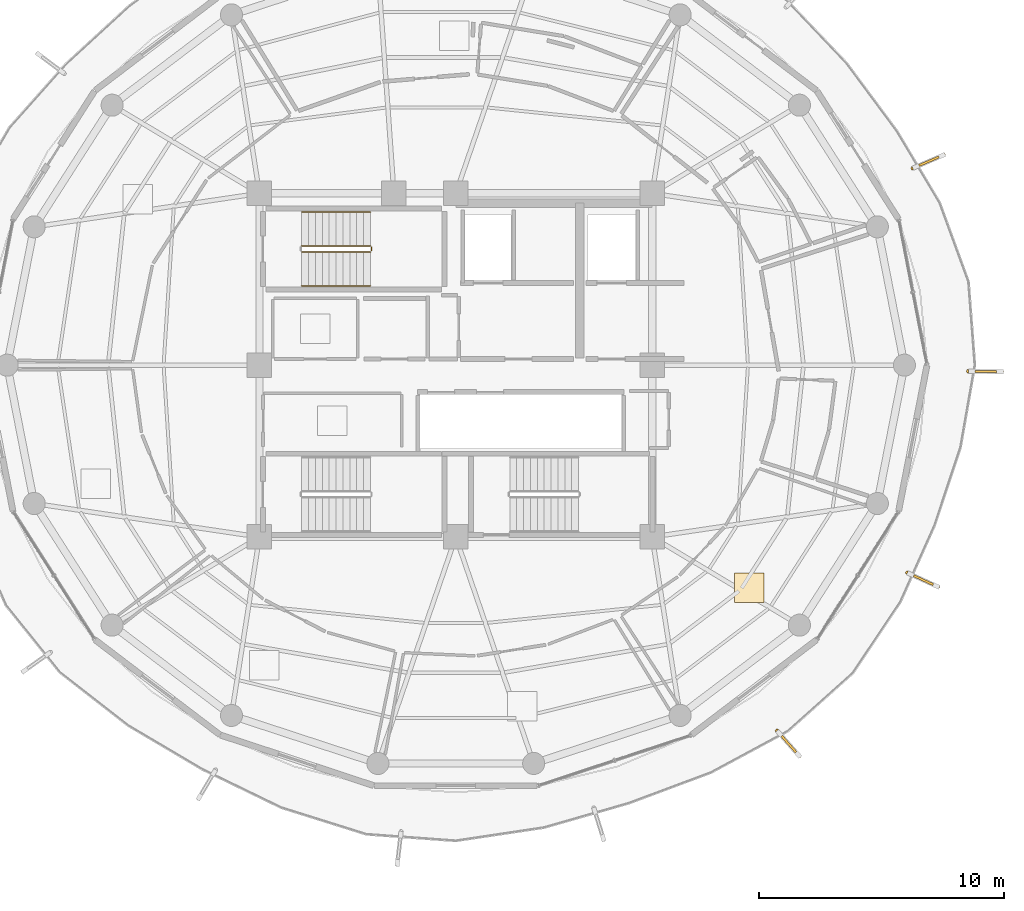
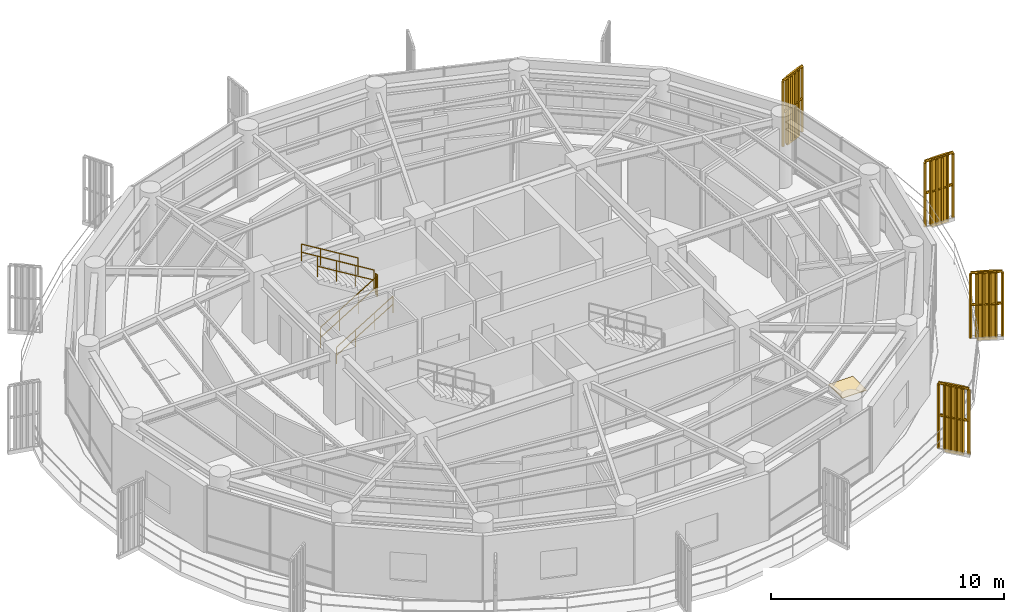
# One storey, part 21 of 22: 9 railings, 4 shading devices, 1 covering.
"""IFC4 building model written with IfcOpenShell, lengths in metres."""

import ifcopenshell
import ifcopenshell.guid

model = None  # the IFC model being written
_history = None  # IfcOwnerHistory: only IFC2X3 demands one
_inside = {}  # id of a spatial element -> (the spatial element, [elements in it])
_under = {}  # id of a project, library or spatial element -> (it, [spatial elements below it])
_declared = {}  # id of a project -> (the project, [libraries it declares])
_typed = {}  # id of a type object -> (the type object, [elements of that type])
_made_of = {}  # id of a material, layer set ... -> (it, [elements and type objects made of it])


def new_model(schema):
    """Start an empty IFC model of exactly this schema.

    Asked for "IFC4X3", IfcOpenShell would pick the latest addendum, in which some entities
    have other attributes; the version numbers below select the first issue.
    IFC2X3 requires an IfcOwnerHistory on every rooted entity: one is made here for all.
    """
    global model, _history
    if schema == "IFC4X3":
        model = ifcopenshell.file(schema_version=(4, 3, 0, 0))
    else:
        model = ifcopenshell.file(schema=schema)
    _inside.clear()
    _under.clear()
    _declared.clear()
    _typed.clear()
    _made_of.clear()
    _history = None
    if model.schema == "IFC2X3":
        org = make("IfcOrganization", Name="unknown")
        user = make(
            "IfcPersonAndOrganization",
            ThePerson=make("IfcPerson", FamilyName="unknown"),
            TheOrganization=org,
        )
        app = make(
            "IfcApplication",
            ApplicationDeveloper=org,
            Version="unknown",
            ApplicationFullName="unknown",
            ApplicationIdentifier="unknown",
        )
        _history = make(
            "IfcOwnerHistory",
            OwningUser=user,
            OwningApplication=app,
            ChangeAction="ADDED",
            CreationDate=0,
        )
    return model


def make(cls, **values):
    """One entity of the class cls with the attributes given. An attribute that is None is left unset."""
    return model.create_entity(
        cls, **{name: value for name, value in values.items() if value is not None}
    )


def rooted(cls, **values):
    """An entity with a GlobalId (a new one), such as an element, a storey or a relation."""
    return make(cls, GlobalId=ifcopenshell.guid.new(), OwnerHistory=_history, **values)


def si_unit(unit_type, name, prefix=None):
    """IfcSIUnit, for example si_unit("LENGTHUNIT", "METRE", prefix="MILLI")."""
    return make("IfcSIUnit", UnitType=unit_type, Prefix=prefix, Name=name)


def assignment(units):
    """IfcUnitAssignment: the units of a project."""
    return None if units is None else make("IfcUnitAssignment", Units=units)


def point(xyz):
    """IfcCartesianPoint."""
    return None if xyz is None else make("IfcCartesianPoint", Coordinates=xyz)


def direction(xyz):
    """IfcDirection."""
    return None if xyz is None else make("IfcDirection", DirectionRatios=xyz)


def frame(location, z_axis=None, x_axis=None):
    """IfcAxis2Placement3D, a coordinate frame: its origin and axes. An axis left out is left unset."""
    return make(
        "IfcAxis2Placement3D",
        Location=point(location),
        Axis=direction(z_axis),
        RefDirection=direction(x_axis),
    )


def frame_2d(location, x_axis=None):
    """IfcAxis2Placement2D, a coordinate frame in the plane: its origin and x axis."""
    return make(
        "IfcAxis2Placement2D", Location=point(location), RefDirection=direction(x_axis)
    )


def origin():
    """The frame at (0, 0, 0) with its axes left unset."""
    return frame((0.0, 0.0, 0.0))


def origin_2d():
    """The frame at (0, 0) in the plane with its x axis left unset."""
    return frame_2d((0.0, 0.0))


def place(relative_to, where):
    """IfcLocalPlacement: puts the frame where relative to a parent placement (None: the world)."""
    return make(
        "IfcLocalPlacement", PlacementRelTo=relative_to, RelativePlacement=where
    )


def context(
    kind, dimensions, precision=None, world=None, true_north=None, identifier=None
):
    """IfcGeometricRepresentationContext, for example the 3D "Model" context."""
    return make(
        "IfcGeometricRepresentationContext",
        ContextIdentifier=identifier,
        ContextType=kind,
        CoordinateSpaceDimension=dimensions,
        Precision=precision,
        WorldCoordinateSystem=world,
        TrueNorth=true_north,
    )


def subcontext(parent, identifier, kind, view, scale=None):
    """IfcGeometricRepresentationSubContext, for example "Body" below "Model"."""
    return make(
        "IfcGeometricRepresentationSubContext",
        ContextIdentifier=identifier,
        ContextType=kind,
        ParentContext=parent,
        TargetScale=scale,
        TargetView=view,
    )


def project(units=None, contexts=None):
    """IfcProject with its units and contexts."""
    return rooted(
        "IfcProject",
        Name="project",
        RepresentationContexts=contexts,
        UnitsInContext=assignment(units),
    )


def spatial(cls, under=None, at=None, **own):
    """A site, building, storey or space (cls), placed at a placement, below another one or the project."""
    s = rooted(cls, ObjectPlacement=at, **own)
    if under is not None:
        _under.setdefault(under.id(), (under, []))[1].append(s)
    return s


def polyline(points):
    """IfcPolyline through the points."""
    return make("IfcPolyline", Points=[point(p) for p in points])


def profile(cls, at=None, kind="AREA", **sizes):
    """A parametric profile (cls). Its sizes go by their IFC names, for example OverallWidth=200.0."""
    return make(cls, ProfileType=kind, Position=at, **sizes)


def rectangle(**sizes):
    """IfcRectangleProfileDef."""
    return profile("IfcRectangleProfileDef", **sizes)


def outline(outer, holes=None, kind="AREA"):
    """IfcArbitraryClosedProfileDef: a profile drawn as a closed curve; with holes, ...WithVoids."""
    if holes is None:
        return make("IfcArbitraryClosedProfileDef", ProfileType=kind, OuterCurve=outer)
    return make(
        "IfcArbitraryProfileDefWithVoids",
        ProfileType=kind,
        OuterCurve=outer,
        InnerCurves=holes,
    )


def extrude(swept, where, along, depth):
    """IfcExtrudedAreaSolid: the profile swept, set in the frame where, extruded along a direction by depth."""
    return make(
        "IfcExtrudedAreaSolid",
        SweptArea=swept,
        Position=where,
        ExtrudedDirection=direction(along),
        Depth=depth,
    )


def shape(context_of_items, identifier, shape_type, items):
    """IfcShapeRepresentation: the items that make up one representation, for example the "Body"."""
    return make(
        "IfcShapeRepresentation",
        ContextOfItems=context_of_items,
        RepresentationIdentifier=identifier,
        RepresentationType=shape_type,
        Items=items,
    )


def source(mapping_origin, context_of_items, identifier, shape_type, items):
    """IfcRepresentationMap: a shape defined once, which mapped items show again and again."""
    return make(
        "IfcRepresentationMap",
        MappingOrigin=mapping_origin,
        MappedRepresentation=shape(context_of_items, identifier, shape_type, items),
    )


def transform(
    local_origin,
    x_axis=None,
    y_axis=None,
    z_axis=None,
    scale=None,
    scale2=None,
    scale3=None,
    uniform=True,
):
    """IfcCartesianTransformationOperator3D, or its non-uniform kind. x_axis, y_axis, z_axis: its Axis1, 2, 3."""
    if uniform:
        return make(
            "IfcCartesianTransformationOperator3D",
            Axis1=direction(x_axis),
            Axis2=direction(y_axis),
            LocalOrigin=point(local_origin),
            Scale=scale,
            Axis3=direction(z_axis),
        )
    return make(
        "IfcCartesianTransformationOperator3DnonUniform",
        Axis1=direction(x_axis),
        Axis2=direction(y_axis),
        LocalOrigin=point(local_origin),
        Scale=scale,
        Axis3=direction(z_axis),
        Scale2=scale2,
        Scale3=scale3,
    )


def mapped(mapping_source, mapping_target):
    """IfcMappedItem: shows the shape of a source again, moved by a transform."""
    return make(
        "IfcMappedItem", MappingSource=mapping_source, MappingTarget=mapping_target
    )


def material(Name=None, Category=None):
    """IfcMaterial."""
    return make("IfcMaterial", Name=Name, Category=Category)


def layer(
    of_material, thickness, ventilated=None, Name=None, Category=None, Priority=None
):
    """IfcMaterialLayer: one layer of a wall or slab, of a material (None: an air gap)."""
    return make(
        "IfcMaterialLayer",
        Material=of_material,
        LayerThickness=thickness,
        IsVentilated=ventilated,
        Name=Name,
        Category=Category,
        Priority=Priority,
    )


def layer_set(layers, Name=None):
    """IfcMaterialLayerSet."""
    return make("IfcMaterialLayerSet", MaterialLayers=layers, LayerSetName=Name)


def made_of(thing, what):
    """Note that an element or type object is made of a material, layer set ...; save() writes the relation."""
    if what is not None:
        _made_of.setdefault(what.id(), (what, []))[1].append(thing)
    return thing


def type_object(cls, material=None, **own):
    """A type object (cls), such as IfcWallType, which elements share."""
    return made_of(rooted(cls, **own), material)


def element(
    cls,
    number,
    at=None,
    inside=None,
    cuts=None,
    type_object=None,
    material=None,
    context=None,
    identifier="Body",
    shape_type=None,
    held_by="IfcProductDefinitionShape",
    body=None,
    shapes=None,
    **own,
):
    """One element of the class cls, such as IfcWall. Its Tag is "e" and its number.

    at: its placement. inside: the storey or other place that contains it. cuts: it is an
    opening in that element (IfcRelVoidsElement). A single representation is given by context,
    identifier, shape_type and body (its items); several are given by shapes. held_by: the class
    of the entity that holds the representations. save() writes the other relations.
    """
    e = rooted(cls, Tag="e%d" % number, ObjectPlacement=at, **own)
    if body is not None:
        shapes = [shape(context, identifier, shape_type, body)]
    if shapes is not None:
        e.Representation = make(held_by, Representations=shapes)
    if inside is not None:
        _inside.setdefault(inside.id(), (inside, []))[1].append(e)
    if cuts is not None:
        rooted(
            "IfcRelVoidsElement", RelatingBuildingElement=cuts, RelatedOpeningElement=e
        )
    if type_object is not None:
        _typed.setdefault(type_object.id(), (type_object, []))[1].append(e)
    return made_of(e, material)


def aggregate(whole, parts):
    """IfcRelAggregates: a whole, such as a stair, and the parts it consists of."""
    return rooted("IfcRelAggregates", RelatingObject=whole, RelatedObjects=parts)


def save(model, path):
    """Write the relations noted so far, then the file.

    IfcRelAggregates (storeys below a building ...), IfcRelContainedInSpatialStructure (elements
    in a storey), IfcRelDefinesByType, IfcRelAssociatesMaterial and IfcRelDeclares: one each for
    every whole, place, type object, material and project.
    """
    for whole, parts in _under.values():
        aggregate(whole, parts)
    for where, things in _inside.values():
        rooted(
            "IfcRelContainedInSpatialStructure",
            RelatedElements=things,
            RelatingStructure=where,
        )
    for kind, things in _typed.values():
        rooted("IfcRelDefinesByType", RelatedObjects=things, RelatingType=kind)
    for what, things in _made_of.values():
        rooted("IfcRelAssociatesMaterial", RelatedObjects=things, RelatingMaterial=what)
    for by, libraries in _declared.values():
        rooted("IfcRelDeclares", RelatingContext=by, RelatedDefinitions=libraries)
    model.write(path)


model = new_model("IFC4")

# Units and contexts
model_context = context("Model", 3, precision=1e-05, world=origin(), true_north=direction((0.0, 1.0)))
body_context = subcontext(model_context, "Body", "Model", "MODEL_VIEW")
ifc_project = project(units=[si_unit("LENGTHUNIT", "METRE"), si_unit("AREAUNIT", "SQUARE_METRE"), si_unit("VOLUMEUNIT", "CUBIC_METRE"), si_unit("PLANEANGLEUNIT", "RADIAN"), si_unit("MASSUNIT", "GRAM", prefix="KILO")], contexts=[model_context])

# Site, building, storey
site_placement = place(None, origin())
site = spatial("IfcSite", under=ifc_project, at=site_placement, CompositionType="ELEMENT")
building_placement = place(site_placement, origin())
building = spatial("IfcBuilding", under=site, at=building_placement, Name="Kelanora Arch Commons", CompositionType="ELEMENT")
storey_placement = place(building_placement, frame((0.0, 0.0, 267.449951171875)))
storey = spatial("IfcBuildingStorey", under=building, at=storey_placement, Name="L68", CompositionType="ELEMENT", Elevation=267.449951171875)

# Railings
ifc_material_1 = material(Name="Anodised bronze vertical shading fin rib assembly")
railing_type_1 = type_object("IfcRailingType", Name="RAIL-FIN-BRZ", PredefinedType="BALUSTRADE", material=ifc_material_1)
railing_1_placement = place(storey_placement, frame((92.39990234375, 49.5419921875, -0.02001953125)))
element("IfcRailing", 1, at=railing_1_placement, inside=storey, type_object=railing_type_1, Name="Sweeping Bronze Vertical Fin Blade L68-00", PredefinedType="BALUSTRADE", context=body_context, shape_type="SweptSolid", body=[
    extrude(outline(polyline([(0.06982421875, 0.0), (0.034912109375, 0.060546875), (-0.034912109375, 0.060546875), (-0.06982421875, 0.0), (-0.034912109375, -0.060546875), (0.034912109375, -0.060546875), (0.06982421875, 0.0)])), frame((0.0, 0.0, 3.419921875), z_axis=(0.908602241751, -0.417662502848, 0.0), x_axis=(0.417662502848, 0.908602241751, 0.0)), (0.0, 0.0, 1.0), 1.3759765625),
    extrude(outline(polyline([(0.06982421875, 0.0), (0.034912109375, 0.060546875), (-0.034912109375, 0.060546875), (-0.06982421875, 0.0), (-0.034912109375, -0.060546875), (0.034912109375, -0.060546875), (0.06982421875, 0.0)])), frame((0.0, 0.0, 1.7451171875), z_axis=(0.908602241751, -0.417662502848, 0.0), x_axis=(0.417662502848, 0.908602241751, 0.0)), (0.0, 0.0, 1.0), 1.3759765625),
    extrude(outline(polyline([(0.080078125, 0.0), (0.0400390625, 0.0693359375), (-0.0400390625, 0.0693359375), (-0.080078125, 0.0), (-0.0400390625, -0.0693359375), (0.0400390625, -0.0693359375), (0.080078125, 0.0)])), origin(), (0.0, 0.0, 1.0), 3.35009765625),
    extrude(outline(polyline([(0.080078125, 0.0), (0.0400390625, 0.0693359375), (-0.0400390625, 0.0693359375), (-0.080078125, 0.0), (-0.0400390625, -0.0693359375), (0.0400390625, -0.0693359375), (0.080078125, 0.0)])), frame((0.25, -0.114990234375, 0.0)), (0.0, 0.0, 1.0), 3.35009765625),
    extrude(outline(polyline([(0.080078125, 0.0), (0.0400390625, 0.0693359375), (-0.0400390625, 0.0693359375), (-0.080078125, 0.0), (-0.0400390625, -0.0693359375), (0.0400390625, -0.0693359375), (0.080078125, 0.0)])), frame((0.5, -0.22998046875, 0.0)), (0.0, 0.0, 1.0), 3.35009765625),
    extrude(outline(polyline([(0.080078125, 0.0), (0.0400390625, 0.0693359375), (-0.0400390625, 0.0693359375), (-0.080078125, 0.0), (-0.0400390625, -0.0693359375), (0.0400390625, -0.0693359375), (0.080078125, 0.0)])), frame((0.750244140625, -0.3447265625, 0.0)), (0.0, 0.0, 1.0), 3.35009765625),
    extrude(outline(polyline([(0.080078125, 0.0), (0.0400390625, 0.0693359375), (-0.0400390625, 0.0693359375), (-0.080078125, 0.0), (-0.0400390625, -0.0693359375), (0.0400390625, -0.0693359375), (0.080078125, 0.0)])), frame((1.000244140625, -0.459716796875, 0.0)), (0.0, 0.0, 1.0), 3.35009765625),
    extrude(outline(polyline([(0.080078125, 0.0), (0.0400390625, 0.0693359375), (-0.0400390625, 0.0693359375), (-0.080078125, 0.0), (-0.0400390625, -0.0693359375), (0.0400390625, -0.0693359375), (0.080078125, 0.0)])), frame((1.250244140625, -0.57470703125, 0.0)), (0.0, 0.0, 1.0), 3.35009765625),
])
railing_2_placement = place(storey_placement, frame((94.8818359375, 57.74951171875, -0.02001953125)))
element("IfcRailing", 2, at=railing_2_placement, inside=storey, type_object=railing_type_1, Name="Sweeping Bronze Vertical Fin Blade L68-01", PredefinedType="BALUSTRADE", context=body_context, shape_type="SweptSolid", body=[
    extrude(outline(polyline([(0.06982421875, 0.0), (0.034912109375, 0.060546875), (-0.034912109375, 0.060546875), (-0.06982421875, 0.0), (-0.034912109375, -0.060546875), (0.034912109375, -0.060546875), (0.06982421875, 0.0)])), frame((0.0, 0.0, 3.419921875), z_axis=(0.99992932176, -0.011889133018, 0.0), x_axis=(0.011889133018, 0.99992932176, 0.0)), (0.0, 0.0, 1.0), 1.375732421875),
    extrude(outline(polyline([(0.06982421875, 0.0), (0.034912109375, 0.060546875), (-0.034912109375, 0.060546875), (-0.06982421875, 0.0), (-0.034912109375, -0.060546875), (0.034912109375, -0.060546875), (0.06982421875, 0.0)])), frame((0.0, 0.0, 1.7451171875), z_axis=(0.99992932176, -0.011889133018, 0.0), x_axis=(0.011889133018, 0.99992932176, 0.0)), (0.0, 0.0, 1.0), 1.375732421875),
    extrude(outline(polyline([(0.080078125, 0.0), (0.0400390625, 0.0693359375), (-0.0400390625, 0.0693359375), (-0.080078125, 0.0), (-0.0400390625, -0.0693359375), (0.0400390625, -0.0693359375), (0.080078125, 0.0)])), origin(), (0.0, 0.0, 1.0), 3.35009765625),
    extrude(outline(polyline([(0.080078125, 0.0), (0.0400390625, 0.0693359375), (-0.0400390625, 0.0693359375), (-0.080078125, 0.0), (-0.0400390625, -0.0693359375), (0.0400390625, -0.0693359375), (0.080078125, 0.0)])), frame((0.275146484375, -0.003173828125, 0.0)), (0.0, 0.0, 1.0), 3.35009765625),
    extrude(outline(polyline([(0.080078125, 0.0), (0.0400390625, 0.0693359375), (-0.0400390625, 0.0693359375), (-0.080078125, 0.0), (-0.0400390625, -0.0693359375), (0.0400390625, -0.0693359375), (0.080078125, 0.0)])), frame((0.55029296875, -0.006591796875, 0.0)), (0.0, 0.0, 1.0), 3.35009765625),
    extrude(outline(polyline([(0.080078125, 0.0), (0.0400390625, 0.0693359375), (-0.0400390625, 0.0693359375), (-0.080078125, 0.0), (-0.0400390625, -0.0693359375), (0.0400390625, -0.0693359375), (0.080078125, 0.0)])), frame((0.825439453125, -0.009765625, 0.0)), (0.0, 0.0, 1.0), 3.35009765625),
    extrude(outline(polyline([(0.080078125, 0.0), (0.0400390625, 0.0693359375), (-0.0400390625, 0.0693359375), (-0.080078125, 0.0), (-0.0400390625, -0.0693359375), (0.0400390625, -0.0693359375), (0.080078125, 0.0)])), frame((1.1005859375, -0.01318359375, 0.0)), (0.0, 0.0, 1.0), 3.35009765625),
    extrude(outline(polyline([(0.080078125, 0.0), (0.0400390625, 0.0693359375), (-0.0400390625, 0.0693359375), (-0.080078125, 0.0), (-0.0400390625, -0.0693359375), (0.0400390625, -0.0693359375), (0.080078125, 0.0)])), frame((1.375732421875, -0.016357421875, 0.0)), (0.0, 0.0, 1.0), 3.35009765625),
])
railing_3_placement = place(storey_placement, frame((92.61962890625, 66.02392578125, -0.02001953125)))
element("IfcRailing", 3, at=railing_3_placement, inside=storey, type_object=railing_type_1, Name="Sweeping Bronze Vertical Fin Blade L68-02", PredefinedType="BALUSTRADE", context=body_context, shape_type="SweptSolid", body=[
    extrude(outline(polyline([(0.06982421875, 0.0), (0.034912109375, 0.060546875), (-0.034912109375, 0.060546875), (-0.06982421875, 0.0), (-0.034912109375, -0.060546875), (0.034912109375, -0.060546875), (0.06982421875, 0.0)])), frame((0.0, 0.0, 3.419921875), z_axis=(0.918363008667, 0.395739035619, 0.0), x_axis=(-0.395739035619, 0.918363008667, 0.0)), (0.0, 0.0, 1.0), 1.375732421875),
    extrude(outline(polyline([(0.06982421875, 0.0), (0.034912109375, 0.060546875), (-0.034912109375, 0.060546875), (-0.06982421875, 0.0), (-0.034912109375, -0.060546875), (0.034912109375, -0.060546875), (0.06982421875, 0.0)])), frame((0.0, 0.0, 1.7451171875), z_axis=(0.918363008667, 0.395739035619, 0.0), x_axis=(-0.395739035619, 0.918363008667, 0.0)), (0.0, 0.0, 1.0), 1.375732421875),
    extrude(outline(polyline([(0.080078125, 0.0), (0.0400390625, 0.0693359375), (-0.0400390625, 0.0693359375), (-0.080078125, 0.0), (-0.0400390625, -0.0693359375), (0.0400390625, -0.0693359375), (0.080078125, 0.0)])), origin(), (0.0, 0.0, 1.0), 3.35009765625),
    extrude(outline(polyline([(0.080078125, 0.0), (0.0400390625, 0.0693359375), (-0.0400390625, 0.0693359375), (-0.080078125, 0.0), (-0.0400390625, -0.0693359375), (0.0400390625, -0.0693359375), (0.080078125, 0.0)])), frame((0.252685546875, 0.10888671875, 0.0)), (0.0, 0.0, 1.0), 3.35009765625),
    extrude(outline(polyline([(0.080078125, 0.0), (0.0400390625, 0.0693359375), (-0.0400390625, 0.0693359375), (-0.080078125, 0.0), (-0.0400390625, -0.0693359375), (0.0400390625, -0.0693359375), (0.080078125, 0.0)])), frame((0.50537109375, 0.2177734375, 0.0)), (0.0, 0.0, 1.0), 3.35009765625),
    extrude(outline(polyline([(0.080078125, 0.0), (0.0400390625, 0.0693359375), (-0.0400390625, 0.0693359375), (-0.080078125, 0.0), (-0.0400390625, -0.0693359375), (0.0400390625, -0.0693359375), (0.080078125, 0.0)])), frame((0.758056640625, 0.32666015625, 0.0)), (0.0, 0.0, 1.0), 3.35009765625),
    extrude(outline(polyline([(0.080078125, 0.0), (0.0400390625, 0.0693359375), (-0.0400390625, 0.0693359375), (-0.080078125, 0.0), (-0.0400390625, -0.0693359375), (0.0400390625, -0.0693359375), (0.080078125, 0.0)])), frame((1.0107421875, 0.435546875, 0.0)), (0.0, 0.0, 1.0), 3.35009765625),
    extrude(outline(polyline([(0.080078125, 0.0), (0.0400390625, 0.0693359375), (-0.0400390625, 0.0693359375), (-0.080078125, 0.0), (-0.0400390625, -0.0693359375), (0.0400390625, -0.0693359375), (0.080078125, 0.0)])), frame((1.263427734375, 0.54443359375, 0.0)), (0.0, 0.0, 1.0), 3.35009765625),
])
railing_4_placement = place(storey_placement, frame((87.093505859375, 43.102783203125, -0.02001953125)))
element("IfcRailing", 4, at=railing_4_placement, inside=storey, type_object=railing_type_1, Name="Sweeping Bronze Vertical Fin Blade L68-14", PredefinedType="BALUSTRADE", context=body_context, shape_type="SweptSolid", body=[
    extrude(outline(polyline([(0.06982421875, 0.0), (0.034912109375, 0.060546875), (-0.034912109375, 0.060546875), (-0.06982421875, 0.0), (-0.034912109375, -0.060546875), (0.034912109375, -0.060546875), (0.06982421875, 0.0)])), frame((0.0, 0.0, 3.419921875), z_axis=(0.660211708398, -0.751079556435, 0.0), x_axis=(0.751079556435, 0.660211708398, 0.0)), (0.0, 0.0, 1.0), 1.375732421875),
    extrude(outline(polyline([(0.06982421875, 0.0), (0.034912109375, 0.060546875), (-0.034912109375, 0.060546875), (-0.06982421875, 0.0), (-0.034912109375, -0.060546875), (0.034912109375, -0.060546875), (0.06982421875, 0.0)])), frame((0.0, 0.0, 1.7451171875), z_axis=(0.660211708398, -0.751079556435, 0.0), x_axis=(0.751079556435, 0.660211708398, 0.0)), (0.0, 0.0, 1.0), 1.375732421875),
    extrude(outline(polyline([(0.080078125, 0.0), (0.0400390625, 0.0693359375), (-0.0400390625, 0.0693359375), (-0.080078125, 0.0), (-0.0400390625, -0.0693359375), (0.0400390625, -0.0693359375), (0.080078125, 0.0)])), origin(), (0.0, 0.0, 1.0), 3.35009765625),
    extrude(outline(polyline([(0.080078125, 0.0), (0.0400390625, 0.0693359375), (-0.0400390625, 0.0693359375), (-0.080078125, 0.0), (-0.0400390625, -0.0693359375), (0.0400390625, -0.0693359375), (0.080078125, 0.0)])), frame((0.181640625, -0.20654296875, 0.0)), (0.0, 0.0, 1.0), 3.35009765625),
    extrude(outline(polyline([(0.080078125, 0.0), (0.0400390625, 0.0693359375), (-0.0400390625, 0.0693359375), (-0.080078125, 0.0), (-0.0400390625, -0.0693359375), (0.0400390625, -0.0693359375), (0.080078125, 0.0)])), frame((0.36328125, -0.413330078125, 0.0)), (0.0, 0.0, 1.0), 3.35009765625),
    extrude(outline(polyline([(0.080078125, 0.0), (0.0400390625, 0.0693359375), (-0.0400390625, 0.0693359375), (-0.080078125, 0.0), (-0.0400390625, -0.0693359375), (0.0400390625, -0.0693359375), (0.080078125, 0.0)])), frame((0.544921875, -0.619873046875, 0.0)), (0.0, 0.0, 1.0), 3.35009765625),
    extrude(outline(polyline([(0.080078125, 0.0), (0.0400390625, 0.0693359375), (-0.0400390625, 0.0693359375), (-0.080078125, 0.0), (-0.0400390625, -0.0693359375), (0.0400390625, -0.0693359375), (0.080078125, 0.0)])), frame((0.7265625, -0.82666015625, 0.0)), (0.0, 0.0, 1.0), 3.35009765625),
    extrude(outline(polyline([(0.080078125, 0.0), (0.0400390625, 0.0693359375), (-0.0400390625, 0.0693359375), (-0.080078125, 0.0), (-0.0400390625, -0.0693359375), (0.0400390625, -0.0693359375), (0.080078125, 0.0)])), frame((0.908203125, -1.033203125, 0.0)), (0.0, 0.0, 1.0), 3.35009765625),
])
ifc_material_2 = material(Name="Painted steel stair well guard", Category="steel")
railing_type_2 = type_object("IfcRailingType", Name="RAIL-STAIR-GRD", PredefinedType="GUARDRAIL", material=ifc_material_2)
railing_5_placement = place(storey_placement, frame((67.719970703125, 62.610107421875, 0.17041015625)))
element("IfcRailing", 5, at=railing_5_placement, inside=storey, type_object=railing_type_2, Name="L68 ST-T1 stair guard 1", PredefinedType="GUARDRAIL", context=body_context, shape_type="SweptSolid", body=[
    extrude(outline(polyline([(0.02392578125, 0.0), (0.011962890625, 0.020751953125), (-0.011962890625, 0.020751953125), (-0.02392578125, 0.0), (-0.011962890625, -0.020751953125), (0.011962890625, -0.020751953125), (0.02392578125, 0.0)])), frame((0.0, 0.0, 1.076171875), z_axis=(0.854169791009, 0.0, 0.51999420009), x_axis=(0.0, 1.0, 0.0)), (0.0, 0.0, 1.0), 3.278076171875),
    extrude(outline(polyline([(0.02392578125, 0.0), (0.011962890625, 0.020751953125), (-0.011962890625, 0.020751953125), (-0.02392578125, 0.0), (-0.011962890625, -0.020751953125), (0.011962890625, -0.020751953125), (0.02392578125, 0.0)])), frame((0.0, 0.0, 0.550048828125), z_axis=(0.854169791009, 0.0, 0.51999420009), x_axis=(0.0, 1.0, 0.0)), (0.0, 0.0, 1.0), 3.278076171875),
    extrude(outline(polyline([(0.02099609375, 0.0), (0.010498046875, 0.01806640625), (-0.010498046875, 0.01806640625), (-0.02099609375, 0.0), (-0.010498046875, -0.01806640625), (0.010498046875, -0.01806640625), (0.02099609375, 0.0)])), origin(), (0.0, 0.0, 1.0), 1.052001953125),
    extrude(outline(polyline([(0.02099609375, 0.0), (0.010498046875, 0.01806640625), (-0.010498046875, 0.01806640625), (-0.02099609375, 0.0), (-0.010498046875, -0.01806640625), (0.010498046875, -0.01806640625), (0.02099609375, 0.0)])), frame((0.933349609375, 0.0, 0.568115234375)), (0.0, 0.0, 1.0), 1.052001953125),
    extrude(outline(polyline([(0.02099609375, 0.0), (0.010498046875, 0.01806640625), (-0.010498046875, 0.01806640625), (-0.02099609375, 0.0), (-0.010498046875, -0.01806640625), (0.010498046875, -0.01806640625), (0.02099609375, 0.0)])), frame((1.86669921875, 0.0, 1.136474609375)), (0.0, 0.0, 1.0), 1.052001953125),
    extrude(outline(polyline([(0.02099609375, 0.0), (0.010498046875, 0.01806640625), (-0.010498046875, 0.01806640625), (-0.02099609375, 0.0), (-0.010498046875, -0.01806640625), (0.010498046875, -0.01806640625), (0.02099609375, 0.0)])), frame((2.800048828125, 0.0, 1.70458984375)), (0.0, 0.0, 1.0), 1.052001953125),
])
railing_6_placement = place(storey_placement, frame((70.570068359375, 62.659912109375, 1.875)))
element("IfcRailing", 6, at=railing_6_placement, inside=storey, type_object=railing_type_2, Name="L68 ST-T1 stair guard 2", PredefinedType="GUARDRAIL", context=body_context, shape_type="SweptSolid", body=[
    extrude(outline(polyline([(0.02392578125, 0.0), (0.011962890625, 0.020751953125), (-0.011962890625, 0.020751953125), (-0.02392578125, 0.0), (-0.011962890625, -0.020751953125), (0.011962890625, -0.020751953125), (0.02392578125, 0.0)])), frame((0.0, 0.0, 1.076171875), z_axis=(0.0, 1.0, 0.0), x_axis=(-1.0, 0.0, 0.0)), (0.0, 0.0, 1.0), 0.150146484375),
    extrude(outline(polyline([(0.02392578125, 0.0), (0.011962890625, 0.020751953125), (-0.011962890625, 0.020751953125), (-0.02392578125, 0.0), (-0.011962890625, -0.020751953125), (0.011962890625, -0.020751953125), (0.02392578125, 0.0)])), frame((0.0, 0.0, 0.550048828125), z_axis=(0.0, 1.0, 0.0), x_axis=(-1.0, 0.0, 0.0)), (0.0, 0.0, 1.0), 0.150146484375),
    extrude(outline(polyline([(0.02099609375, 0.0), (0.010498046875, 0.01806640625), (-0.010498046875, 0.01806640625), (-0.02099609375, 0.0), (-0.010498046875, -0.01806640625), (0.010498046875, -0.01806640625), (0.02099609375, 0.0)])), origin(), (0.0, 0.0, 1.0), 1.052001953125),
    extrude(outline(polyline([(0.02099609375, 0.0), (0.010498046875, 0.01806640625), (-0.010498046875, 0.01806640625), (-0.02099609375, 0.0), (-0.010498046875, -0.01806640625), (0.010498046875, -0.01806640625), (0.02099609375, 0.0)])), frame((0.0, 0.150146484375, 0.0)), (0.0, 0.0, 1.0), 1.052001953125),
])
railing_7_placement = place(storey_placement, frame((70.52001953125, 62.860107421875, 2.04541015625)))
element("IfcRailing", 7, at=railing_7_placement, inside=storey, type_object=railing_type_2, Name="L68 ST-T1 stair guard 3", PredefinedType="GUARDRAIL", context=body_context, shape_type="SweptSolid", body=[
    extrude(outline(polyline([(0.02392578125, 0.0), (0.011962890625, 0.020751953125), (-0.011962890625, 0.020751953125), (-0.02392578125, 0.0), (-0.011962890625, -0.020751953125), (0.011962890625, -0.020751953125), (0.02392578125, 0.0)])), frame((0.0, 0.0, 1.076171875), z_axis=(-0.854169791009, 0.0, 0.51999420009), x_axis=(0.0, -1.0, 0.0)), (0.0, 0.0, 1.0), 3.278076171875),
    extrude(outline(polyline([(0.02392578125, 0.0), (0.011962890625, 0.020751953125), (-0.011962890625, 0.020751953125), (-0.02392578125, 0.0), (-0.011962890625, -0.020751953125), (0.011962890625, -0.020751953125), (0.02392578125, 0.0)])), frame((0.0, 0.0, 0.550048828125), z_axis=(-0.854169791009, 0.0, 0.51999420009), x_axis=(0.0, -1.0, 0.0)), (0.0, 0.0, 1.0), 3.278076171875),
    extrude(outline(polyline([(0.02099609375, 0.0), (0.010498046875, 0.01806640625), (-0.010498046875, 0.01806640625), (-0.02099609375, 0.0), (-0.010498046875, -0.01806640625), (0.010498046875, -0.01806640625), (0.02099609375, 0.0)])), origin(), (0.0, 0.0, 1.0), 1.052001953125),
    extrude(outline(polyline([(0.02099609375, 0.0), (0.010498046875, 0.01806640625), (-0.010498046875, 0.01806640625), (-0.02099609375, 0.0), (-0.010498046875, -0.01806640625), (0.010498046875, -0.01806640625), (0.02099609375, 0.0)])), frame((-0.933349609375, 0.0, 0.568115234375)), (0.0, 0.0, 1.0), 1.052001953125),
    extrude(outline(polyline([(0.02099609375, 0.0), (0.010498046875, 0.01806640625), (-0.010498046875, 0.01806640625), (-0.02099609375, 0.0), (-0.010498046875, -0.01806640625), (0.010498046875, -0.01806640625), (0.02099609375, 0.0)])), frame((-1.86669921875, 0.0, 1.136474609375)), (0.0, 0.0, 1.0), 1.052001953125),
    extrude(outline(polyline([(0.02099609375, 0.0), (0.010498046875, 0.01806640625), (-0.010498046875, 0.01806640625), (-0.02099609375, 0.0), (-0.010498046875, -0.01806640625), (0.010498046875, -0.01806640625), (0.02099609375, 0.0)])), frame((-2.800048828125, 0.0, 1.70458984375)), (0.0, 0.0, 1.0), 1.052001953125),
])
ifc_material_3 = material(Name="Brushed stainless steel stair handrail", Category="steel")
railing_type_3 = type_object("IfcRailingType", Name="RAIL-STAIR-HND", PredefinedType="HANDRAIL", material=ifc_material_3)
railing_8_placement = place(storey_placement, frame((67.719970703125, 61.22998046875, 0.17041015625)))
element("IfcRailing", 8, at=railing_8_placement, inside=storey, type_object=railing_type_3, Name="L68 ST-T1 stair handrail 1", PredefinedType="HANDRAIL", context=body_context, shape_type="SweptSolid", body=[
    extrude(outline(polyline([(0.02392578125, 0.0), (0.011962890625, 0.020751953125), (-0.011962890625, 0.020751953125), (-0.02392578125, 0.0), (-0.011962890625, -0.020751953125), (0.011962890625, -0.020751953125), (0.02392578125, 0.0)])), frame((0.0, 0.0, 0.8759765625), z_axis=(0.854169791009, 0.0, 0.51999420009), x_axis=(0.0, 1.0, 0.0)), (0.0, 0.0, 1.0), 3.278076171875),
    extrude(outline(polyline([(0.02392578125, 0.0), (0.011962890625, 0.020751953125), (-0.011962890625, 0.020751953125), (-0.02392578125, 0.0), (-0.011962890625, -0.020751953125), (0.011962890625, -0.020751953125), (0.02392578125, 0.0)])), frame((0.0, 0.0, 0.449951171875), z_axis=(0.854169791009, 0.0, 0.51999420009), x_axis=(0.0, 1.0, 0.0)), (0.0, 0.0, 1.0), 3.278076171875),
    extrude(outline(polyline([(0.02099609375, 0.0), (0.010498046875, 0.01806640625), (-0.010498046875, 0.01806640625), (-0.02099609375, 0.0), (-0.010498046875, -0.01806640625), (0.010498046875, -0.01806640625), (0.02099609375, 0.0)])), origin(), (0.0, 0.0, 1.0), 0.851806640625),
    extrude(outline(polyline([(0.02099609375, 0.0), (0.010498046875, 0.01806640625), (-0.010498046875, 0.01806640625), (-0.02099609375, 0.0), (-0.010498046875, -0.01806640625), (0.010498046875, -0.01806640625), (0.02099609375, 0.0)])), frame((0.933349609375, 0.0, 0.568115234375)), (0.0, 0.0, 1.0), 0.851806640625),
    extrude(outline(polyline([(0.02099609375, 0.0), (0.010498046875, 0.01806640625), (-0.010498046875, 0.01806640625), (-0.02099609375, 0.0), (-0.010498046875, -0.01806640625), (0.010498046875, -0.01806640625), (0.02099609375, 0.0)])), frame((1.86669921875, 0.0, 1.136474609375)), (0.0, 0.0, 1.0), 0.851806640625),
    extrude(outline(polyline([(0.02099609375, 0.0), (0.010498046875, 0.01806640625), (-0.010498046875, 0.01806640625), (-0.02099609375, 0.0), (-0.010498046875, -0.01806640625), (0.010498046875, -0.01806640625), (0.02099609375, 0.0)])), frame((2.800048828125, 0.0, 1.70458984375)), (0.0, 0.0, 1.0), 0.851806640625),
])
railing_9_placement = place(storey_placement, frame((70.52001953125, 64.239990234375, 2.04541015625)))
element("IfcRailing", 9, at=railing_9_placement, inside=storey, type_object=railing_type_3, Name="L68 ST-T1 stair handrail 2", PredefinedType="HANDRAIL", context=body_context, shape_type="SweptSolid", body=[
    extrude(outline(polyline([(0.02392578125, 0.0), (0.011962890625, 0.020751953125), (-0.011962890625, 0.020751953125), (-0.02392578125, 0.0), (-0.011962890625, -0.020751953125), (0.011962890625, -0.020751953125), (0.02392578125, 0.0)])), frame((0.0, 0.0, 0.8759765625), z_axis=(-0.854169791009, 0.0, 0.51999420009), x_axis=(0.0, -1.0, 0.0)), (0.0, 0.0, 1.0), 3.278076171875),
    extrude(outline(polyline([(0.02392578125, 0.0), (0.011962890625, 0.020751953125), (-0.011962890625, 0.020751953125), (-0.02392578125, 0.0), (-0.011962890625, -0.020751953125), (0.011962890625, -0.020751953125), (0.02392578125, 0.0)])), frame((0.0, 0.0, 0.449951171875), z_axis=(-0.854169791009, 0.0, 0.51999420009), x_axis=(0.0, -1.0, 0.0)), (0.0, 0.0, 1.0), 3.278076171875),
    extrude(outline(polyline([(0.02099609375, 0.0), (0.010498046875, 0.01806640625), (-0.010498046875, 0.01806640625), (-0.02099609375, 0.0), (-0.010498046875, -0.01806640625), (0.010498046875, -0.01806640625), (0.02099609375, 0.0)])), origin(), (0.0, 0.0, 1.0), 0.851806640625),
    extrude(outline(polyline([(0.02099609375, 0.0), (0.010498046875, 0.01806640625), (-0.010498046875, 0.01806640625), (-0.02099609375, 0.0), (-0.010498046875, -0.01806640625), (0.010498046875, -0.01806640625), (0.02099609375, 0.0)])), frame((-0.933349609375, 0.0, 0.568115234375)), (0.0, 0.0, 1.0), 0.851806640625),
    extrude(outline(polyline([(0.02099609375, 0.0), (0.010498046875, 0.01806640625), (-0.010498046875, 0.01806640625), (-0.02099609375, 0.0), (-0.010498046875, -0.01806640625), (0.010498046875, -0.01806640625), (0.02099609375, 0.0)])), frame((-1.86669921875, 0.0, 1.136474609375)), (0.0, 0.0, 1.0), 0.851806640625),
    extrude(outline(polyline([(0.02099609375, 0.0), (0.010498046875, 0.01806640625), (-0.010498046875, 0.01806640625), (-0.02099609375, 0.0), (-0.010498046875, -0.01806640625), (0.010498046875, -0.01806640625), (0.02099609375, 0.0)])), frame((-2.800048828125, 0.0, 1.70458984375)), (0.0, 0.0, 1.0), 0.851806640625),
])

# Shading devices
ifc_material_4 = material(Name="Terracotta ceramic-clad extruded aluminium fin", Category="masonry")
shading_device_type = type_object("IfcShadingDeviceType", Name="SHD-FIN-FLARE", PredefinedType="USERDEFINED", material=ifc_material_4)
shared_shape_1 = source(origin(), body_context, "Body", "SweptSolid", [
    extrude(rectangle(XDim=0.8798828125, YDim=0.090087890625, at=origin_2d()), origin(), (0.0, 0.0, 1.0), 3.610107421875),
])
for number, where, z_axis, x_axis, name in (
    (10, (93.05419921875, 49.2412109375, -0.14013671875), (0.0, 0.0, 1.0), (0.908581095252, -0.417708502848, 0.0), "Sweeping Terracotta Fin L68-00"),
    (11, (95.601806640625, 57.740966796875, -0.14013671875), (0.0, 0.0, 1.0), (0.9999274867, -0.01204248075, 0.0), "Sweeping Terracotta Fin L68-01"),
    (12, (93.28076171875, 66.308837890625, -0.14013671875), (0.0, 0.0, 1.0), (0.918377331641, 0.395705795671, 0.0), "Sweeping Terracotta Fin L68-02"),
    (13, (87.56884765625, 42.56201171875, -0.14013671875), (0.0, 0.0, 1.0), (0.660132778235, -0.75114893004, 0.0), "Sweeping Terracotta Fin L68-14"),
):
    element("IfcShadingDevice", number, at=place(storey_placement, frame(where, z_axis=z_axis, x_axis=x_axis)), inside=storey, type_object=shading_device_type, Name=name, ObjectType="FIN", PredefinedType="USERDEFINED", context=body_context, shape_type="MappedRepresentation", body=[
        mapped(shared_shape_1, transform((0.0, 0.0, 0.0), scale=1.0)),
    ])

# Covering
ifc_material_5 = material(Name="Polished local granite terrazzo flooring", Category="masonry")
ifc_layer = layer(ifc_material_5, 0.030029296875)
ifc_layer_set = layer_set([ifc_layer], Name="Polished local granite terrazzo flooring")
covering_type = type_object("IfcCoveringType", Name="COV-FLR-TER", PredefinedType="FLOORING", material=ifc_layer_set)
shared_shape_2 = source(origin(), body_context, "Body", "SweptSolid", [
    extrude(rectangle(XDim=1.199951171875, YDim=1.199951171875, at=origin_2d()), origin(), (0.0, 0.0, 1.0), 0.030029296875),
])
covering_placement = place(storey_placement, frame((85.959228515625, 48.930419921875, 0.0), z_axis=(0.0, 0.0, 1.0), x_axis=(1.0, 0.0, 0.0)))
element("IfcCovering", 14, at=covering_placement, inside=storey, type_object=covering_type, Name="Communal Dining and Social Hall L68-07 Terrazzo Finish", PredefinedType="FLOORING", context=body_context, shape_type="MappedRepresentation", body=[
    mapped(shared_shape_2, transform((0.0, 0.0, 0.0), scale=1.0)),
])

save(model, "model.ifc")
